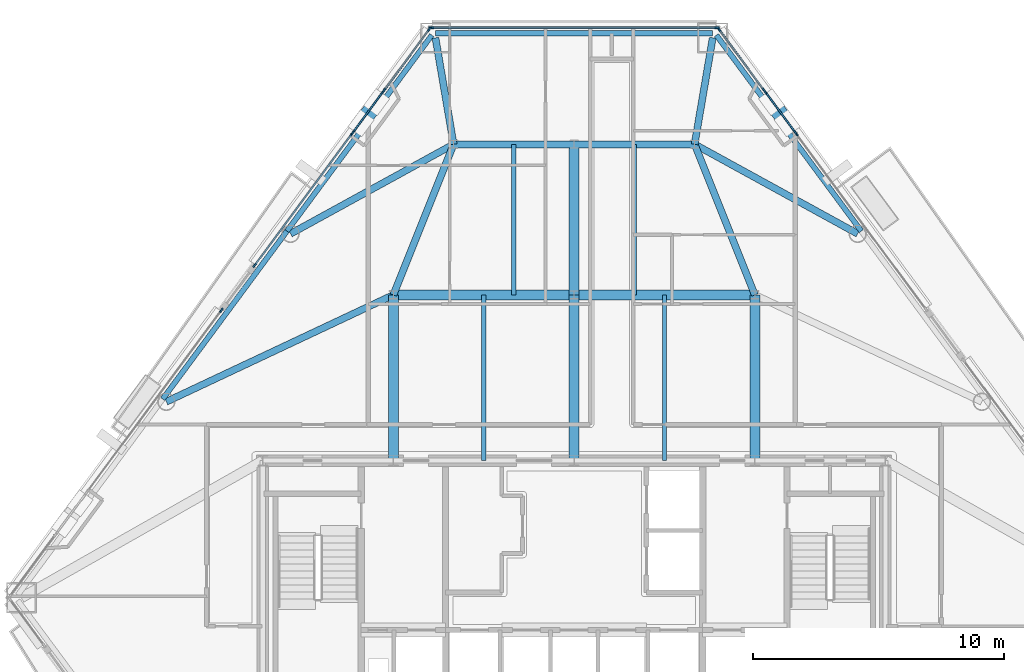
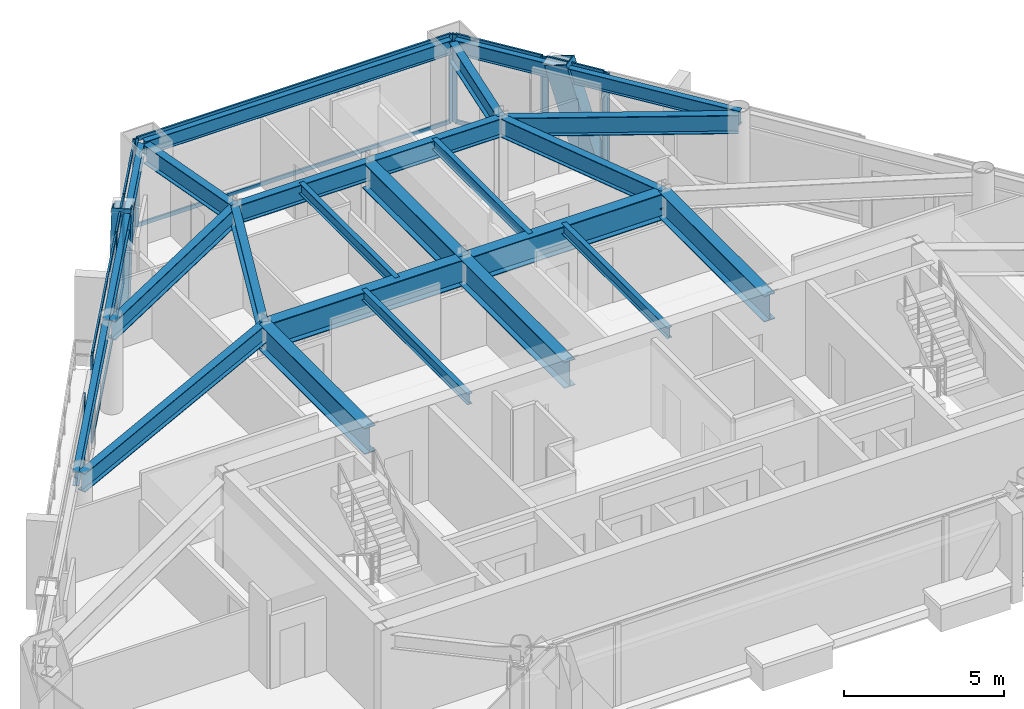
# One storey, part 4 of 11: 28 members, 23 beams, 8 elements without a shape of their own.
"""IFC4 building model written with IfcOpenShell, lengths in metres."""

from ifc_helpers import new_model, si_unit, direction, frame, origin, origin_2d, place, context, subcontext, project, spatial, rectangle, hollow_rectangle, i_section, extrude, material, layer, layer_set, material_profile, profile_set, type_object, element, aggregate, save


model = new_model("IFC4")

# Units and contexts
model_context = context("Model", 3, precision=1e-05, world=origin(), true_north=direction((0.0, 1.0)))
body_context = subcontext(model_context, "Body", "Model", "MODEL_VIEW")
ifc_project = project(units=[si_unit("LENGTHUNIT", "METRE"), si_unit("AREAUNIT", "SQUARE_METRE"), si_unit("VOLUMEUNIT", "CUBIC_METRE"), si_unit("PLANEANGLEUNIT", "RADIAN"), si_unit("MASSUNIT", "GRAM", prefix="KILO")], contexts=[model_context])

# Site, building, storey
site_placement = place(None, origin())
site = spatial("IfcSite", under=ifc_project, at=site_placement, CompositionType="ELEMENT")
building_placement = place(site_placement, origin())
building = spatial("IfcBuilding", under=site, at=building_placement, Name="Talgorran Terracotta Tower", CompositionType="ELEMENT")
storey_placement = place(building_placement, frame((0.0, 0.0, 122.10009765625)))
storey = spatial("IfcBuildingStorey", under=building, at=storey_placement, Name="L31", CompositionType="ELEMENT", Elevation=122.10009765625)

# Beams
ifc_material_1 = material(Name="Steel Grade 350 (350L0)", Category="steel")
ifc_material_profile_1 = material_profile(ifc_material_1, i_section(OverallWidth=0.39990234375, OverallDepth=1.0, WebThickness=0.01611328125, FlangeThickness=0.031005859375, at=origin_2d()), Name="1000WB296")
ifc_profile_set_1 = profile_set([ifc_material_profile_1], Name="Steel Grade 350 (350L0)")
beam_type_1 = type_object("IfcBeamType", Name="BM_1000WB296", PredefinedType="BEAM", material=ifc_profile_set_1)
for number, where, z_axis, x_axis, name in (
    (1, (-7.199951171875, -4.199951171875, 2.849853515625), (0.0, 1.0, 0.0), (-1.0, 0.0, 0.0), "L31 Floor Girder G01"),
    (2, (0.0, -4.199951171875, 2.849853515625), (0.0, 1.0, 0.0), (-1.0, 0.0, 0.0), "L31 Floor Girder G02"),
    (3, (7.199951171875, -4.199951171875, 2.849853515625), (0.0, 1.0, 0.0), (-1.0, 0.0, 0.0), "L31 Floor Girder G03"),
):
    element("IfcBeam", number, at=place(storey_placement, frame(where, z_axis=z_axis, x_axis=x_axis)), inside=storey, type_object=beam_type_1, Name=name, PredefinedType="BEAM", context=body_context, shape_type="SweptSolid", body=[
        extrude(i_section(OverallWidth=0.39990234375, OverallDepth=1.0, WebThickness=0.01611328125, FlangeThickness=0.031005859375, at=origin_2d()), origin(), (0.0, 0.0, 1.0), 6.599853515625),
    ])
for number, where, z_axis, x_axis, name in (
    (4, (-7.199951171875, 2.39990234375, 2.849853515625), (1.0, 0.0, 0.0), (0.0, 1.0, 0.0), "L31 Floor Girder G04"),
    (5, (0.0, 2.39990234375, 2.849853515625), (1.0, 0.0, 0.0), (0.0, 1.0, 0.0), "L31 Floor Girder G05"),
):
    element("IfcBeam", number, at=place(storey_placement, frame(where, z_axis=z_axis, x_axis=x_axis)), inside=storey, type_object=beam_type_1, Name=name, PredefinedType="BEAM", context=body_context, shape_type="SweptSolid", body=[
        extrude(i_section(OverallWidth=0.39990234375, OverallDepth=1.0, WebThickness=0.01611328125, FlangeThickness=0.031005859375, at=origin_2d()), origin(), (0.0, 0.0, 1.0), 7.199951171875),
    ])
beam_1_placement = place(storey_placement, frame((0.0, 2.39990234375, 2.849853515625), z_axis=(0.0, 1.0, 0.0), x_axis=(-1.0, 0.0, 0.0)))
element("IfcBeam", 6, at=beam_1_placement, inside=storey, type_object=beam_type_1, Name="L31 Floor Girder G09", PredefinedType="BEAM", context=body_context, shape_type="SweptSolid", body=[
    extrude(i_section(OverallWidth=0.39990234375, OverallDepth=1.0, WebThickness=0.01611328125, FlangeThickness=0.031005859375, at=origin_2d()), origin(), (0.0, 0.0, 1.0), 6.0),
])
ifc_material_2 = material(Name="Steel S355 (300PLUS)", Category="steel")
ifc_material_profile_2 = material_profile(ifc_material_2, i_section(OverallWidth=0.27490234375, OverallDepth=0.7080078125, WebThickness=0.011962890625, FlangeThickness=0.02490234375, at=origin_2d()), Name="700WB173")
ifc_profile_set_2 = profile_set([ifc_material_profile_2], Name="Steel S355 (300PLUS)")
beam_type_2 = type_object("IfcBeamType", Name="BM_700WB173", PredefinedType="BEAM", material=ifc_profile_set_2)
beam_2_placement = place(storey_placement, frame((-7.199951171875, 2.39990234375, 2.995849609375), z_axis=(-0.904850249914, -0.425729990992, 0.0), x_axis=(0.425729990992, -0.904850249914, 0.0)))
element("IfcBeam", 7, at=beam_2_placement, inside=storey, type_object=beam_type_2, Name="L31 Floor Girder G06", PredefinedType="BEAM", context=body_context, shape_type="SweptSolid", body=[
    extrude(i_section(OverallWidth=0.27490234375, OverallDepth=0.7080078125, WebThickness=0.011962890625, FlangeThickness=0.02490234375, at=origin_2d()), origin(), (0.0, 0.0, 1.0), 9.99609375),
])
for number, where, z_axis, x_axis, name in (
    (8, (-7.199951171875, 2.39990234375, 2.995849609375), (0.371377648723, 0.928481901832, 0.0), (-0.928481901832, 0.371377648723, 0.0), "L31 Floor Girder G08"),
    (9, (7.199951171875, 2.39990234375, 2.995849609375), (-0.371377648723, 0.928481901832, 0.0), (-0.928481901832, -0.371377648723, 0.0), "L31 Floor Girder G10"),
):
    element("IfcBeam", number, at=place(storey_placement, frame(where, z_axis=z_axis, x_axis=x_axis)), inside=storey, type_object=beam_type_2, Name=name, PredefinedType="BEAM", context=body_context, shape_type="SweptSolid", body=[
        extrude(i_section(OverallWidth=0.27490234375, OverallDepth=0.7080078125, WebThickness=0.011962890625, FlangeThickness=0.02490234375, at=origin_2d()), origin(), (0.0, 0.0, 1.0), 6.462158203125),
    ])
for number, where, z_axis, x_axis, name in (
    (10, (-4.800048828125, 8.39990234375, 2.995849609375), (1.0, 0.0, 0.0), (0.0, 1.0, 0.0), "L31 Floor Girder G11"),
    (11, (0.0, 8.39990234375, 2.995849609375), (1.0, 0.0, 0.0), (0.0, 1.0, 0.0), "L31 Floor Girder G12"),
):
    element("IfcBeam", number, at=place(storey_placement, frame(where, z_axis=z_axis, x_axis=x_axis)), inside=storey, type_object=beam_type_2, Name=name, PredefinedType="BEAM", context=body_context, shape_type="SweptSolid", body=[
        extrude(i_section(OverallWidth=0.27490234375, OverallDepth=0.7080078125, WebThickness=0.011962890625, FlangeThickness=0.02490234375, at=origin_2d()), origin(), (0.0, 0.0, 1.0), 4.800048828125),
    ])
for number, where, z_axis, x_axis, name in (
    (12, (-4.800048828125, 8.39990234375, 2.995849609375), (-0.876707979091, -0.481022992587, 0.0), (0.481022992587, -0.876707979091, 0.0), "L31 Floor Girder G13"),
    (13, (4.800048828125, 8.39990234375, 2.995849609375), (0.876707979091, -0.481022992587, 0.0), (0.481022992587, 0.876707979091, 0.0), "L31 Floor Girder G14"),
):
    element("IfcBeam", number, at=place(storey_placement, frame(where, z_axis=z_axis, x_axis=x_axis)), inside=storey, type_object=beam_type_2, Name=name, PredefinedType="BEAM", context=body_context, shape_type="SweptSolid", body=[
        extrude(i_section(OverallWidth=0.27490234375, OverallDepth=0.7080078125, WebThickness=0.011962890625, FlangeThickness=0.02490234375, at=origin_2d()), origin(), (0.0, 0.0, 1.0), 7.40966796875),
    ])
for number, where, z_axis, x_axis, name in (
    (14, (-4.800048828125, 8.39990234375, 2.995849609375), (-0.167884989688, 0.985806588656, 0.0), (-0.985806588656, -0.167884989688, 0.0), "L31 Floor Girder G15"),
    (15, (4.800048828125, 8.39990234375, 2.995849609375), (0.167884989688, 0.985806588656, 0.0), (-0.985806588656, 0.167884989688, 0.0), "L31 Floor Girder G16"),
):
    element("IfcBeam", number, at=place(storey_placement, frame(where, z_axis=z_axis, x_axis=x_axis)), inside=storey, type_object=beam_type_2, Name=name, PredefinedType="BEAM", context=body_context, shape_type="SweptSolid", body=[
        extrude(i_section(OverallWidth=0.27490234375, OverallDepth=0.7080078125, WebThickness=0.011962890625, FlangeThickness=0.02490234375, at=origin_2d()), origin(), (0.0, 0.0, 1.0), 4.302978515625),
    ])
ifc_material_profile_3 = material_profile(ifc_material_2, i_section(OverallWidth=0.177734375, OverallDepth=0.406494140625, WebThickness=0.0078125, FlangeThickness=0.0126953125, at=origin_2d()), Name="410UB59.7")
ifc_profile_set_3 = profile_set([ifc_material_profile_3], Name="Steel S355 (300PLUS)")
beam_type_3 = type_object("IfcBeamType", Name="BM_JS_410UB60", PredefinedType="JOIST", material=ifc_profile_set_3)
for number, where, z_axis, x_axis, name in (
    (16, (-3.60009765625, -4.199951171875, 3.146728515625), (0.0, 1.0, 0.0), (-1.0, 0.0, 0.0), "L31 Secondary Joist J01"),
    (17, (3.60009765625, -4.199951171875, 3.146728515625), (0.0, 1.0, 0.0), (-1.0, 0.0, 0.0), "L31 Secondary Joist J02"),
):
    element("IfcBeam", number, at=place(storey_placement, frame(where, z_axis=z_axis, x_axis=x_axis)), inside=storey, type_object=beam_type_3, Name=name, PredefinedType="JOIST", context=body_context, shape_type="SweptSolid", body=[
        extrude(i_section(OverallWidth=0.177734375, OverallDepth=0.406494140625, WebThickness=0.0078125, FlangeThickness=0.0126953125, at=origin_2d()), origin(), (0.0, 0.0, 1.0), 6.599853515625),
    ])
for number, where, z_axis, x_axis, name in (
    (18, (-2.39990234375, 2.39990234375, 3.146728515625), (0.0, 1.0, 0.0), (-1.0, 0.0, 0.0), "L31 Secondary Joist J03"),
    (19, (2.39990234375, 2.39990234375, 3.146728515625), (0.0, 1.0, 0.0), (-1.0, 0.0, 0.0), "L31 Secondary Joist J04"),
):
    element("IfcBeam", number, at=place(storey_placement, frame(where, z_axis=z_axis, x_axis=x_axis)), inside=storey, type_object=beam_type_3, Name=name, PredefinedType="JOIST", context=body_context, shape_type="SweptSolid", body=[
        extrude(i_section(OverallWidth=0.177734375, OverallDepth=0.406494140625, WebThickness=0.0078125, FlangeThickness=0.0126953125, at=origin_2d()), origin(), (0.0, 0.0, 1.0), 6.0),
    ])
ifc_material_profile_4 = material_profile(ifc_material_2, i_section(OverallWidth=0.209228515625, OverallDepth=0.532958984375, WebThickness=0.01025390625, FlangeThickness=0.015625, at=origin_2d()), Name="530UB92.4")
ifc_profile_set_4 = profile_set([ifc_material_profile_4], Name="Steel S355 (300PLUS)")
beam_type_4 = type_object("IfcBeamType", Name="BM_SP_530UB92", PredefinedType="SPANDREL", material=ifc_profile_set_4)
beam_3_placement = place(storey_placement, frame((11.44091796875, 4.942626953125, 3.08349609375), z_axis=(-0.594651915905, 0.803983270293, 0.0), x_axis=(-0.803983270293, -0.594651915905, 0.0)))
element("IfcBeam", 20, at=beam_3_placement, inside=storey, type_object=beam_type_4, Name="L31 Perimeter Spandrel Beam FC4-MC5", PredefinedType="SPANDREL", context=body_context, shape_type="SweptSolid", body=[
    extrude(i_section(OverallWidth=0.209228515625, OverallDepth=0.532958984375, WebThickness=0.01025390625, FlangeThickness=0.015625, at=origin_2d()), origin(), (0.0, 0.0, 1.0), 9.709228515625),
])
beam_4_placement = place(storey_placement, frame((5.5224609375, 12.822021484375, 3.08349609375), z_axis=(-1.0, 0.0, 0.0), x_axis=(0.0, -1.0, 0.0)))
element("IfcBeam", 21, at=beam_4_placement, inside=storey, type_object=beam_type_4, Name="L31 Perimeter Spandrel Beam MC5-MC6", PredefinedType="SPANDREL", context=body_context, shape_type="SweptSolid", body=[
    extrude(i_section(OverallWidth=0.209228515625, OverallDepth=0.532958984375, WebThickness=0.01025390625, FlangeThickness=0.015625, at=origin_2d()), origin(), (0.0, 0.0, 1.0), 11.044921875),
])
beam_5_placement = place(storey_placement, frame((-5.667236328125, 12.748779296875, 3.08349609375), z_axis=(-0.594651915905, -0.803983270293, 0.0), x_axis=(0.803983270293, -0.594651915905, 0.0)))
element("IfcBeam", 22, at=beam_5_placement, inside=storey, type_object=beam_type_4, Name="L31 Perimeter Spandrel Beam MC6-FC5", PredefinedType="SPANDREL", context=body_context, shape_type="SweptSolid", body=[
    extrude(i_section(OverallWidth=0.209228515625, OverallDepth=0.532958984375, WebThickness=0.01025390625, FlangeThickness=0.015625, at=origin_2d()), origin(), (0.0, 0.0, 1.0), 9.709228515625),
])
beam_6_placement = place(storey_placement, frame((-11.44091796875, 4.942626953125, 3.08349609375), z_axis=(-0.594631062308, -0.803998693866, 0.0), x_axis=(0.803998693866, -0.594631062308, 0.0)))
element("IfcBeam", 23, at=beam_6_placement, inside=storey, type_object=beam_type_4, Name="L31 Perimeter Spandrel Beam FC5-FC6", PredefinedType="SPANDREL", context=body_context, shape_type="SweptSolid", body=[
    extrude(i_section(OverallWidth=0.209228515625, OverallDepth=0.532958984375, WebThickness=0.01025390625, FlangeThickness=0.015625, at=origin_2d()), origin(), (0.0, 0.0, 1.0), 8.322265625),
])

# Members
ifc_material_profile_5 = material_profile(ifc_material_1, hollow_rectangle(XDim=0.6201171875, YDim=0.780029296875, WallThickness=0.0419921875, at=origin_2d()), Name="WBOX780X620X42")
ifc_profile_set_5 = profile_set([ifc_material_profile_5], Name="Steel Grade 350 (350L0)")
member_type_1 = type_object("IfcMemberType", Name="MB_MEGA_780", PredefinedType="BRACE", material=ifc_profile_set_5)
for number, where, z_axis, x_axis, name in (
    (24, (8.486572265625, 9.23974609375, -0.025146484375), (-0.174427252152, 0.235795990217, 0.956020598473), (-0.803942607238, -0.594706889372, 0.0), "L31 Exterior Face Mega-Brace MB-2 (NEU)"),
    (25, (-8.486572265625, 9.23974609375, -0.025146484375), (0.174427252152, 0.235795990217, 0.956020598473), (-0.803942607238, 0.594706889372, 0.0), "L31 Exterior Face Mega-Brace MB-2 (NWU)"),
):
    element("IfcMember", number, at=place(storey_placement, frame(where, z_axis=z_axis, x_axis=x_axis)), inside=storey, type_object=member_type_1, Name=name, PredefinedType="BRACE", context=body_context, shape_type="SweptSolid", body=[
        extrude(hollow_rectangle(XDim=0.6201171875, YDim=0.780029296875, WallThickness=0.0419921875, at=origin_2d()), origin(), (0.0, 0.0, 1.0), 3.556640625),
    ])

# Curtain wall, member
ifc_material_3 = material(Name="Unitised Low-E Double Glazing", Category="glass")
ifc_layer = layer(ifc_material_3, 0.199951171875, Name="CW_SYS2_RES_LOW")
ifc_layer_set = layer_set([ifc_layer], Name="Unitised Low-E Double Glazing")
curtain_wall_type = type_object("IfcCurtainWallType", Name="CW_SYS2_RES_LOW", PredefinedType="NOTDEFINED", material=ifc_layer_set)
curtain_wall_1_placement = place(storey_placement, origin())
curtain_wall_1 = element("IfcCurtainWall", 26, at=curtain_wall_1_placement, inside=storey, type_object=curtain_wall_type, Name="CW-L31-F41", PredefinedType="NOTDEFINED")
ifc_material_4 = material(Name="Architectural Aluminium 6063-T6", Category="aluminium")
ifc_material_profile_6 = material_profile(ifc_material_4, rectangle(XDim=0.06494140625, YDim=0.18505859375, at=origin_2d()), Name="CWM65X185")
ifc_profile_set_6 = profile_set([ifc_material_profile_6], Name="Architectural Aluminium 6063-T6")
member_type_2 = type_object("IfcMemberType", Name="MUL_65X185", PredefinedType="MULLION", material=ifc_profile_set_6)
member_1_placement = place(storey_placement, frame((8.851806640625, 8.81298828125, 0.0), z_axis=(0.0, 0.0, 1.0), x_axis=(-0.803997273561, -0.594632982692, 0.0)))
member_1 = element("IfcMember", 27, at=member_1_placement, type_object=member_type_2, Name="CW-L31-41 mullion 2", PredefinedType="MULLION", context=body_context, shape_type="SweptSolid", body=[
    extrude(rectangle(XDim=0.06494140625, YDim=0.18505859375, at=origin_2d()), origin(), (0.0, 0.0, 1.0), 3.349853515625),
])
aggregate(curtain_wall_1, [member_1])

# Curtain wall, members
curtain_wall_2_placement = place(storey_placement, origin())
curtain_wall_2 = element("IfcCurtainWall", 28, at=curtain_wall_2_placement, inside=storey, type_object=curtain_wall_type, Name="CW-L31-F41B", PredefinedType="NOTDEFINED")
member_2_placement = place(storey_placement, frame((8.807373046875, 8.873291015625, 0.0), z_axis=(0.0, 0.0, 1.0), x_axis=(-0.803994148166, -0.594637208485, 0.0)))
member_2 = element("IfcMember", 29, at=member_2_placement, type_object=member_type_2, Name="CW-L31-41B mullion 1", PredefinedType="MULLION", context=body_context, shape_type="SweptSolid", body=[
    extrude(rectangle(XDim=0.06494140625, YDim=0.18505859375, at=origin_2d()), origin(), (0.0, 0.0, 1.0), 3.349853515625),
])
member_3_placement = place(storey_placement, frame((7.60986328125, 10.4921875, 0.0), z_axis=(0.0, 0.0, 1.0), x_axis=(-0.803994148166, -0.594637208485, 0.0)))
member_3 = element("IfcMember", 30, at=member_3_placement, type_object=member_type_2, Name="CW-L31-41B mullion 2", PredefinedType="MULLION", context=body_context, shape_type="SweptSolid", body=[
    extrude(rectangle(XDim=0.06494140625, YDim=0.18505859375, at=origin_2d()), origin(), (0.0, 0.0, 1.0), 3.349853515625),
])

curtain_wall_3_placement = place(storey_placement, origin())
curtain_wall_3 = element("IfcCurtainWall", 31, at=curtain_wall_3_placement, inside=storey, type_object=curtain_wall_type, Name="CW-L31-F41C", PredefinedType="NOTDEFINED")
member_4_placement = place(storey_placement, frame((7.565185546875, 10.552734375, 0.0), z_axis=(0.0, 0.0, 1.0), x_axis=(-0.803991734564, -0.594640471843, 0.0)))
member_4 = element("IfcMember", 32, at=member_4_placement, type_object=member_type_2, Name="CW-L31-41C mullion 1", PredefinedType="MULLION", context=body_context, shape_type="SweptSolid", body=[
    extrude(rectangle(XDim=0.06494140625, YDim=0.18505859375, at=origin_2d()), origin(), (0.0, 0.0, 1.0), 3.349853515625),
])
member_5_placement = place(storey_placement, frame((5.767333984375, 12.983642578125, 0.0), z_axis=(0.0, 0.0, 1.0), x_axis=(-0.803991734564, -0.594640471843, 0.0)))
member_5 = element("IfcMember", 33, at=member_5_placement, type_object=member_type_2, Name="CW-L31-41C mullion 2", PredefinedType="MULLION", context=body_context, shape_type="SweptSolid", body=[
    extrude(rectangle(XDim=0.06494140625, YDim=0.18505859375, at=origin_2d()), origin(), (0.0, 0.0, 1.0), 3.349853515625),
])

curtain_wall_4_placement = place(storey_placement, origin())
curtain_wall_4 = element("IfcCurtainWall", 34, at=curtain_wall_4_placement, inside=storey, type_object=curtain_wall_type, Name="CW-L31-F4", PredefinedType="NOTDEFINED")
member_6_placement = place(storey_placement, frame((5.691650390625, 13.0419921875, 0.0), z_axis=(0.0, 0.0, 1.0), x_axis=(0.0, -1.0, 0.0)))
member_6 = element("IfcMember", 35, at=member_6_placement, type_object=member_type_2, Name="CW-L31-4 mullion 1", PredefinedType="MULLION", context=body_context, shape_type="SweptSolid", body=[
    extrude(rectangle(XDim=0.06494140625, YDim=0.18505859375, at=origin_2d()), origin(), (0.0, 0.0, 1.0), 3.349853515625),
])
member_7_placement = place(storey_placement, frame((-5.691650390625, 13.0419921875, 0.0), z_axis=(0.0, 0.0, 1.0), x_axis=(0.0, -1.0, 0.0)))
member_7 = element("IfcMember", 36, at=member_7_placement, type_object=member_type_2, Name="CW-L31-4 mullion 2", PredefinedType="MULLION", context=body_context, shape_type="SweptSolid", body=[
    extrude(rectangle(XDim=0.06494140625, YDim=0.18505859375, at=origin_2d()), origin(), (0.0, 0.0, 1.0), 3.349853515625),
])

curtain_wall_5_placement = place(storey_placement, origin())
curtain_wall_5 = element("IfcCurtainWall", 37, at=curtain_wall_5_placement, inside=storey, type_object=curtain_wall_type, Name="CW-L31-F60", PredefinedType="NOTDEFINED")
member_8_placement = place(storey_placement, frame((-5.767333984375, 12.983642578125, 0.0), z_axis=(0.0, 0.0, 1.0), x_axis=(0.803991734564, -0.594640471843, 0.0)))
member_8 = element("IfcMember", 38, at=member_8_placement, type_object=member_type_2, Name="CW-L31-60 mullion 1", PredefinedType="MULLION", context=body_context, shape_type="SweptSolid", body=[
    extrude(rectangle(XDim=0.06494140625, YDim=0.18505859375, at=origin_2d()), origin(), (0.0, 0.0, 1.0), 3.349853515625),
])
member_9_placement = place(storey_placement, frame((-7.565185546875, 10.552734375, 0.0), z_axis=(0.0, 0.0, 1.0), x_axis=(0.803991734564, -0.594640471843, 0.0)))
member_9 = element("IfcMember", 39, at=member_9_placement, type_object=member_type_2, Name="CW-L31-60 mullion 2", PredefinedType="MULLION", context=body_context, shape_type="SweptSolid", body=[
    extrude(rectangle(XDim=0.06494140625, YDim=0.18505859375, at=origin_2d()), origin(), (0.0, 0.0, 1.0), 3.349853515625),
])

curtain_wall_6_placement = place(storey_placement, origin())
curtain_wall_6 = element("IfcCurtainWall", 40, at=curtain_wall_6_placement, inside=storey, type_object=curtain_wall_type, Name="CW-L31-F60B", PredefinedType="NOTDEFINED")
member_10_placement = place(storey_placement, frame((-7.60986328125, 10.492431640625, 0.0), z_axis=(0.0, 0.0, 1.0), x_axis=(0.803994148166, -0.594637208485, 0.0)))
member_10 = element("IfcMember", 41, at=member_10_placement, type_object=member_type_2, Name="CW-L31-60B mullion 1", PredefinedType="MULLION", context=body_context, shape_type="SweptSolid", body=[
    extrude(rectangle(XDim=0.06494140625, YDim=0.18505859375, at=origin_2d()), origin(), (0.0, 0.0, 1.0), 3.349853515625),
])
member_11_placement = place(storey_placement, frame((-8.807373046875, 8.873291015625, 0.0), z_axis=(0.0, 0.0, 1.0), x_axis=(0.803994148166, -0.594637208485, 0.0)))
member_11 = element("IfcMember", 42, at=member_11_placement, type_object=member_type_2, Name="CW-L31-60B mullion 2", PredefinedType="MULLION", context=body_context, shape_type="SweptSolid", body=[
    extrude(rectangle(XDim=0.06494140625, YDim=0.18505859375, at=origin_2d()), origin(), (0.0, 0.0, 1.0), 3.349853515625),
])

curtain_wall_7_placement = place(storey_placement, origin())
curtain_wall_7 = element("IfcCurtainWall", 43, at=curtain_wall_7_placement, inside=storey, type_object=curtain_wall_type, Name="CW-L31-F60C", PredefinedType="NOTDEFINED")
member_12_placement = place(storey_placement, frame((-8.851806640625, 8.81298828125, 0.0), z_axis=(0.0, 0.0, 1.0), x_axis=(0.8039944851, -0.594636752925, 0.0)))
member_12 = element("IfcMember", 44, at=member_12_placement, type_object=member_type_2, Name="CW-L31-60C mullion 1", PredefinedType="MULLION", context=body_context, shape_type="SweptSolid", body=[
    extrude(rectangle(XDim=0.06494140625, YDim=0.18505859375, at=origin_2d()), origin(), (0.0, 0.0, 1.0), 3.349853515625),
])
member_13_placement = place(storey_placement, frame((-12.725830078125, 3.5751953125, 0.0), z_axis=(0.0, 0.0, 1.0), x_axis=(0.8039944851, -0.594636752925, 0.0)))
member_13 = element("IfcMember", 45, at=member_13_placement, type_object=member_type_2, Name="CW-L31-60C mullion 2", PredefinedType="MULLION", context=body_context, shape_type="SweptSolid", body=[
    extrude(rectangle(XDim=0.06494140625, YDim=0.18505859375, at=origin_2d()), origin(), (0.0, 0.0, 1.0), 3.349853515625),
])

# Curtain wall, member
curtain_wall_8_placement = place(storey_placement, origin())
curtain_wall_8 = element("IfcCurtainWall", 46, at=curtain_wall_8_placement, inside=storey, type_object=curtain_wall_type, Name="CW-L31-F61", PredefinedType="NOTDEFINED")
member_14_placement = place(storey_placement, frame((-14.048828125, 1.786376953125, 0.0), z_axis=(0.0, 0.0, 1.0), x_axis=(0.803997148337, -0.594633152007, 0.0)))
member_14 = element("IfcMember", 47, at=member_14_placement, type_object=member_type_2, Name="CW-L31-61 mullion 1", PredefinedType="MULLION", context=body_context, shape_type="SweptSolid", body=[
    extrude(rectangle(XDim=0.06494140625, YDim=0.18505859375, at=origin_2d()), origin(), (0.0, 0.0, 1.0), 3.349853515625),
])
aggregate(curtain_wall_8, [member_14])

# Member
ifc_material_profile_7 = material_profile(ifc_material_4, rectangle(XDim=0.06494140625, YDim=0.14990234375, at=origin_2d()), Name="CWT65X150")
ifc_profile_set_7 = profile_set([ifc_material_profile_7], Name="Architectural Aluminium 6063-T6")
member_type_3 = type_object("IfcMemberType", Name="TRN_65X150", PredefinedType="USERDEFINED", material=ifc_profile_set_7)
member_15_placement = place(storey_placement, frame((8.787841796875, 8.8994140625, 0.032470703125), z_axis=(-0.59463411196, 0.803996438358, 0.0), x_axis=(-0.803996438358, -0.59463411196, 0.0)))
member_15 = element("IfcMember", 48, at=member_15_placement, type_object=member_type_3, Name="CW-L31-41B transom 1.1", ObjectType="TRANSOM", PredefinedType="USERDEFINED", context=body_context, shape_type="SweptSolid", body=[
    extrude(rectangle(XDim=0.06494140625, YDim=0.14990234375, at=origin_2d()), origin(), (0.0, 0.0, 1.0), 1.948486328125),
])

member_16_placement = place(storey_placement, frame((8.787841796875, 8.8994140625, 3.3173828125), z_axis=(-0.59463411196, 0.803996438358, 0.0), x_axis=(-0.803996438358, -0.59463411196, 0.0)))
member_16 = element("IfcMember", 49, at=member_16_placement, type_object=member_type_3, Name="CW-L31-41B transom 1.2", ObjectType="TRANSOM", PredefinedType="USERDEFINED", context=body_context, shape_type="SweptSolid", body=[
    extrude(rectangle(XDim=0.06494140625, YDim=0.14990234375, at=origin_2d()), origin(), (0.0, 0.0, 1.0), 1.948486328125),
])

aggregate(curtain_wall_2, [member_2, member_3, member_15, member_16])

member_17_placement = place(storey_placement, frame((7.5458984375, 10.578857421875, 0.032470703125), z_axis=(-0.594639298995, 0.803992602013, 0.0), x_axis=(-0.803992602013, -0.594639298995, 0.0)))
member_17 = element("IfcMember", 50, at=member_17_placement, type_object=member_type_3, Name="CW-L31-41C transom 1.1", ObjectType="TRANSOM", PredefinedType="USERDEFINED", context=body_context, shape_type="SweptSolid", body=[
    extrude(rectangle(XDim=0.06494140625, YDim=0.14990234375, at=origin_2d()), origin(), (0.0, 0.0, 1.0), 2.95849609375),
])

member_18_placement = place(storey_placement, frame((7.5458984375, 10.578857421875, 3.3173828125), z_axis=(-0.594639298995, 0.803992602013, 0.0), x_axis=(-0.803992602013, -0.594639298995, 0.0)))
member_18 = element("IfcMember", 51, at=member_18_placement, type_object=member_type_3, Name="CW-L31-41C transom 1.2", ObjectType="TRANSOM", PredefinedType="USERDEFINED", context=body_context, shape_type="SweptSolid", body=[
    extrude(rectangle(XDim=0.06494140625, YDim=0.14990234375, at=origin_2d()), origin(), (0.0, 0.0, 1.0), 2.95849609375),
])

aggregate(curtain_wall_3, [member_4, member_5, member_17, member_18])

member_19_placement = place(storey_placement, frame((5.6591796875, 13.0419921875, 0.032470703125), z_axis=(-1.0, 0.0, 0.0), x_axis=(0.0, -1.0, 0.0)))
member_19 = element("IfcMember", 52, at=member_19_placement, type_object=member_type_3, Name="CW-L31-4 transom 1.1", ObjectType="TRANSOM", PredefinedType="USERDEFINED", context=body_context, shape_type="SweptSolid", body=[
    extrude(rectangle(XDim=0.06494140625, YDim=0.14990234375, at=origin_2d()), origin(), (0.0, 0.0, 1.0), 11.318359375),
])

member_20_placement = place(storey_placement, frame((5.6591796875, 13.0419921875, 3.3173828125), z_axis=(-1.0, 0.0, 0.0), x_axis=(0.0, -1.0, 0.0)))
member_20 = element("IfcMember", 53, at=member_20_placement, type_object=member_type_3, Name="CW-L31-4 transom 1.2", ObjectType="TRANSOM", PredefinedType="USERDEFINED", context=body_context, shape_type="SweptSolid", body=[
    extrude(rectangle(XDim=0.06494140625, YDim=0.14990234375, at=origin_2d()), origin(), (0.0, 0.0, 1.0), 11.318359375),
])

aggregate(curtain_wall_4, [member_6, member_7, member_19, member_20])

member_21_placement = place(storey_placement, frame((-5.78662109375, 12.95751953125, 0.032470703125), z_axis=(-0.594639298995, -0.803992602013, 0.0), x_axis=(0.803992602013, -0.594639298995, 0.0)))
member_21 = element("IfcMember", 54, at=member_21_placement, type_object=member_type_3, Name="CW-L31-60 transom 1.1", ObjectType="TRANSOM", PredefinedType="USERDEFINED", context=body_context, shape_type="SweptSolid", body=[
    extrude(rectangle(XDim=0.06494140625, YDim=0.14990234375, at=origin_2d()), origin(), (0.0, 0.0, 1.0), 2.95849609375),
])

member_22_placement = place(storey_placement, frame((-5.78662109375, 12.95751953125, 3.3173828125), z_axis=(-0.594639298995, -0.803992602013, 0.0), x_axis=(0.803992602013, -0.594639298995, 0.0)))
member_22 = element("IfcMember", 55, at=member_22_placement, type_object=member_type_3, Name="CW-L31-60 transom 1.2", ObjectType="TRANSOM", PredefinedType="USERDEFINED", context=body_context, shape_type="SweptSolid", body=[
    extrude(rectangle(XDim=0.06494140625, YDim=0.14990234375, at=origin_2d()), origin(), (0.0, 0.0, 1.0), 2.95849609375),
])

aggregate(curtain_wall_5, [member_8, member_9, member_21, member_22])

member_23_placement = place(storey_placement, frame((-7.629150390625, 10.46630859375, 0.032470703125), z_axis=(-0.594574216453, -0.804040733501, 0.0), x_axis=(0.804040733501, -0.594574216453, 0.0)))
member_23 = element("IfcMember", 56, at=member_23_placement, type_object=member_type_3, Name="CW-L31-60B transom 1.1", ObjectType="TRANSOM", PredefinedType="USERDEFINED", context=body_context, shape_type="SweptSolid", body=[
    extrude(rectangle(XDim=0.06494140625, YDim=0.14990234375, at=origin_2d()), origin(), (0.0, 0.0, 1.0), 1.94873046875),
])

member_24_placement = place(storey_placement, frame((-7.629150390625, 10.46630859375, 3.3173828125), z_axis=(-0.594574216453, -0.804040733501, 0.0), x_axis=(0.804040733501, -0.594574216453, 0.0)))
member_24 = element("IfcMember", 57, at=member_24_placement, type_object=member_type_3, Name="CW-L31-60B transom 1.2", ObjectType="TRANSOM", PredefinedType="USERDEFINED", context=body_context, shape_type="SweptSolid", body=[
    extrude(rectangle(XDim=0.06494140625, YDim=0.14990234375, at=origin_2d()), origin(), (0.0, 0.0, 1.0), 1.94873046875),
])

aggregate(curtain_wall_6, [member_10, member_11, member_23, member_24])

member_25_placement = place(storey_placement, frame((-8.871337890625, 8.786865234375, 0.032470703125), z_axis=(-0.594632636296, -0.803997529755, 0.0), x_axis=(0.803997529755, -0.594632636296, 0.0)))
member_25 = element("IfcMember", 58, at=member_25_placement, type_object=member_type_3, Name="CW-L31-60C transom 1.1", ObjectType="TRANSOM", PredefinedType="USERDEFINED", context=body_context, shape_type="SweptSolid", body=[
    extrude(rectangle(XDim=0.06494140625, YDim=0.14990234375, at=origin_2d()), origin(), (0.0, 0.0, 1.0), 6.44970703125),
])

member_26_placement = place(storey_placement, frame((-8.871337890625, 8.786865234375, 3.3173828125), z_axis=(-0.594632636296, -0.803997529755, 0.0), x_axis=(0.803997529755, -0.594632636296, 0.0)))
member_26 = element("IfcMember", 59, at=member_26_placement, type_object=member_type_3, Name="CW-L31-60C transom 1.2", ObjectType="TRANSOM", PredefinedType="USERDEFINED", context=body_context, shape_type="SweptSolid", body=[
    extrude(rectangle(XDim=0.06494140625, YDim=0.14990234375, at=origin_2d()), origin(), (0.0, 0.0, 1.0), 6.44970703125),
])

aggregate(curtain_wall_7, [member_12, member_13, member_25, member_26])

save(model, "model.ifc")
